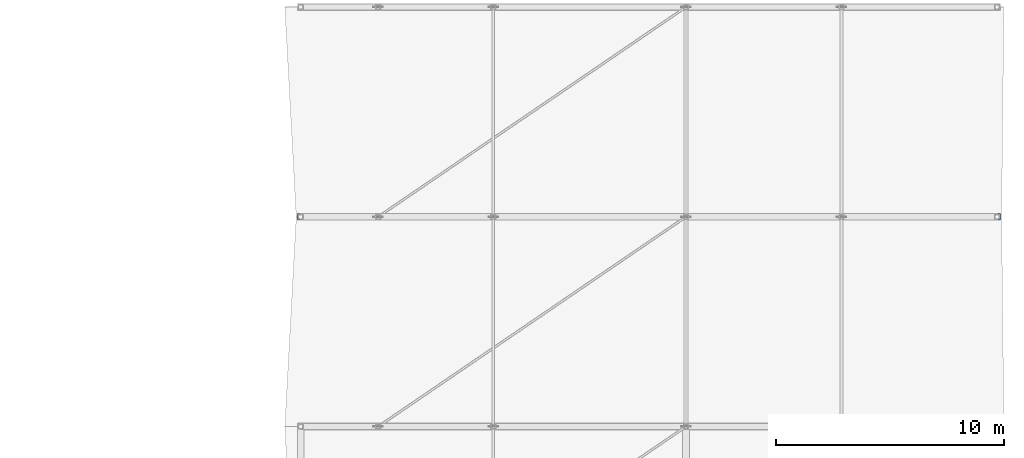
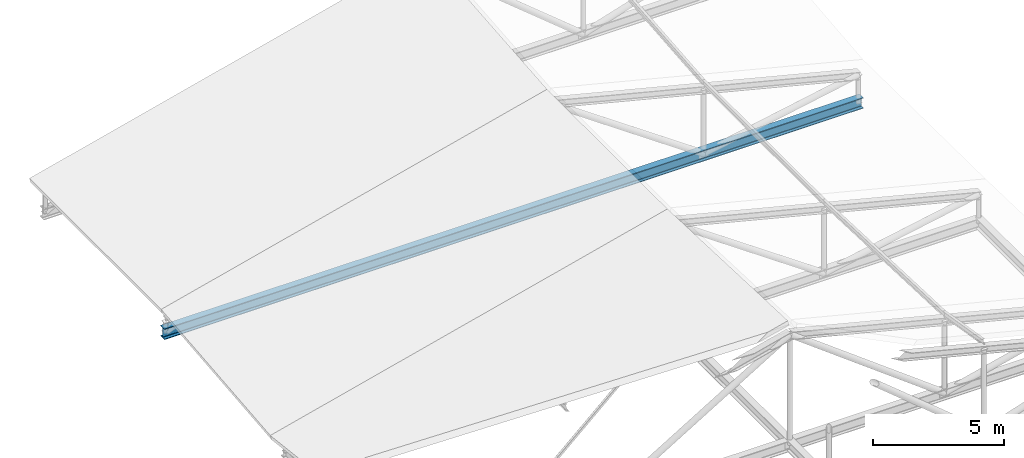
# One storey, part 34 of 56: 1 beam.
"""IFC4 building model written with IfcOpenShell, lengths in metres."""

from ifc_helpers import new_model, si_unit, direction, frame, origin, origin_2d, place, context, subcontext, project, spatial, i_section, extrude, material, material_profile, profile_set, type_object, element, save


model = new_model("IFC4")

# Units and contexts
model_context = context("Model", 3, precision=1e-05, world=origin(), true_north=direction((0.0, 1.0)))
body_context = subcontext(model_context, "Body", "Model", "MODEL_VIEW")
ifc_project = project(units=[si_unit("LENGTHUNIT", "METRE"), si_unit("AREAUNIT", "SQUARE_METRE"), si_unit("VOLUMEUNIT", "CUBIC_METRE"), si_unit("PLANEANGLEUNIT", "RADIAN"), si_unit("MASSUNIT", "GRAM", prefix="KILO")], contexts=[model_context])

# Site, building, storey
site_placement = place(None, origin())
site = spatial("IfcSite", under=ifc_project, at=site_placement, CompositionType="ELEMENT")
building_placement = place(site_placement, origin())
building = spatial("IfcBuilding", under=site, at=building_placement, Name="Bozkorgan Art Gallery", CompositionType="ELEMENT")
storey_placement = place(building_placement, frame((0.0, 0.0, 24.0)))
storey = spatial("IfcBuildingStorey", under=building, at=storey_placement, Name="L05", CompositionType="ELEMENT", Elevation=24.0)

# Beam
ifc_material = material(Name="Steel S355J2", Category="steel")
ifc_material_profile = material_profile(ifc_material, i_section(OverallWidth=0.300048828125, OverallDepth=0.5, WebThickness=0.014404296875, FlangeThickness=0.028076171875, FilletRadius=0.027099609375, at=origin_2d()), Name="HEB 500")
ifc_profile_set = profile_set([ifc_material_profile], Name="Steel S355J2")
beam_type = type_object("IfcBeamType", Name="BEAM-TO-52", PredefinedType="BEAM", material=ifc_profile_set)
beam_placement = place(storey_placement, frame((133.4599609375, 84.39990234375, 0.25), z_axis=(1.0, 0.0, 0.0), x_axis=(0.0, 1.0, 0.0)))
element("IfcBeam", 1, at=beam_placement, inside=storey, type_object=beam_type, Name="ROOF-V5-MAIN roof truss 4 bottom chord", PredefinedType="BEAM", context=body_context, shape_type="SweptSolid", body=[
    extrude(i_section(OverallWidth=0.300048828125, OverallDepth=0.5, WebThickness=0.014404296875, FlangeThickness=0.028076171875, FilletRadius=0.027099609375, at=origin_2d()), origin(), (0.0, 0.0, 1.0), 30.830078125),
])

save(model, "model.ifc")
